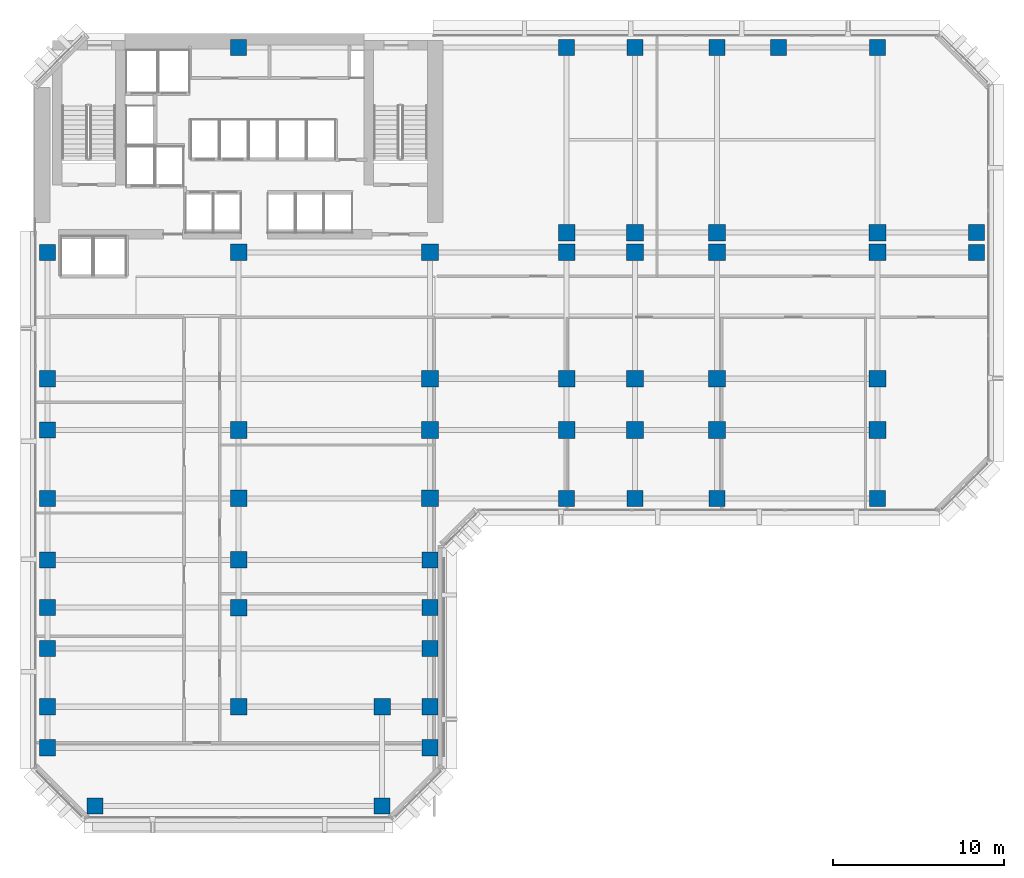
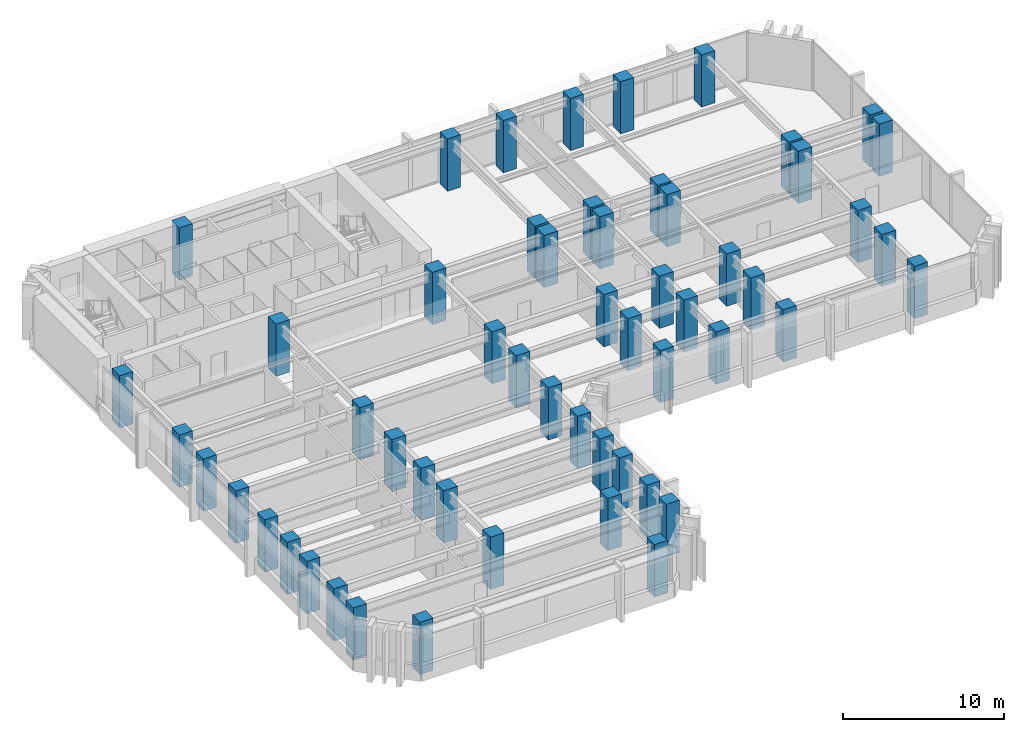
# One storey, part 1 of 13: 55 columns.
"""IFC4 building model written with IfcOpenShell, lengths in metres."""

from ifc_helpers import new_model, si_unit, direction, frame, origin, origin_2d, place, context, subcontext, project, spatial, rectangle, extrude, material, material_profile, profile_set, type_object, element, save


model = new_model("IFC4")

# Units and contexts
model_context = context("Model", 3, precision=1e-05, world=origin(), true_north=direction((0.0, 1.0)))
body_context = subcontext(model_context, "Body", "Model", "MODEL_VIEW")
ifc_project = project(units=[si_unit("LENGTHUNIT", "METRE"), si_unit("AREAUNIT", "SQUARE_METRE"), si_unit("VOLUMEUNIT", "CUBIC_METRE"), si_unit("PLANEANGLEUNIT", "RADIAN"), si_unit("MASSUNIT", "GRAM", prefix="KILO")], contexts=[model_context])

# Site, building, storey
site_placement = place(None, origin())
site = spatial("IfcSite", under=ifc_project, at=site_placement, CompositionType="ELEMENT")
building_placement = place(site_placement, origin())
building = spatial("IfcBuilding", under=site, at=building_placement, Name="Kefirva Bronze Tower", CompositionType="ELEMENT")
storey_placement = place(building_placement, frame((0.0, 0.0, 54.1201171875)))
storey = spatial("IfcBuildingStorey", under=building, at=storey_placement, Name="L12", CompositionType="ELEMENT", Elevation=54.1201171875)

# Columns
ifc_material = material(Name="Concrete C60/75", Category="concrete")
ifc_material_profile_1 = material_profile(ifc_material, rectangle(XDim=0.93994140625, YDim=0.93994140625, at=origin_2d()), Name="RC 940x940")
ifc_profile_set_1 = profile_set([ifc_material_profile_1], Name="Concrete C60/75")
column_type_1 = type_object("IfcColumnType", Name="RC Column 940x940 Ext", PredefinedType="COLUMN", material=ifc_profile_set_1)
for number, where, z_axis, x_axis, name in (
    (1, (0.800048828125, 4.199951171875, 0.0), (0.0, 0.0, 1.0), (1.0, 0.0, 0.0), "L12 Column C008_042"),
    (2, (0.800048828125, 6.60009765625, 0.0), (0.0, 0.0, 1.0), (1.0, 0.0, 0.0), "L12 Column C008_066"),
    (3, (0.800048828125, 10.0, 0.0), (0.0, 0.0, 1.0), (1.0, 0.0, 0.0), "L12 Column C008_100"),
    (4, (0.800048828125, 12.39990234375, 0.0), (0.0, 0.0, 1.0), (1.0, 0.0, 0.0), "L12 Column C008_124"),
    (5, (0.800048828125, 15.199951171875, 0.0), (0.0, 0.0, 1.0), (1.0, 0.0, 0.0), "L12 Column C008_152"),
    (6, (0.800048828125, 18.800048828125, 0.0), (0.0, 0.0, 1.0), (1.0, 0.0, 0.0), "L12 Column C008_188"),
    (7, (0.800048828125, 22.800048828125, 0.0), (0.0, 0.0, 1.0), (1.0, 0.0, 0.0), "L12 Column C008_228"),
    (8, (0.800048828125, 25.800048828125, 0.0), (0.0, 0.0, 1.0), (1.0, 0.0, 0.0), "L12 Column C008_258"),
    (9, (0.800048828125, 33.199951171875, 0.0), (0.0, 0.0, 1.0), (1.0, 0.0, 0.0), "L12 Column C008_332"),
    (10, (3.60009765625, 0.800048828125, 0.0), (0.0, 0.0, 1.0), (1.0, 0.0, 0.0), "L12 Column C036_008"),
    (11, (12.0, 45.199951171875, 0.0), (0.0, 0.0, 1.0), (1.0, 0.0, 0.0), "L12 Column C120_452"),
    (12, (20.39990234375, 0.800048828125, 0.0), (0.0, 0.0, 1.0), (1.0, 0.0, 0.0), "L12 Column C204_008"),
    (13, (23.199951171875, 4.199951171875, 0.0), (0.0, 0.0, 1.0), (1.0, 0.0, 0.0), "L12 Column C232_042"),
    (14, (23.199951171875, 6.60009765625, 0.0), (0.0, 0.0, 1.0), (1.0, 0.0, 0.0), "L12 Column C232_066"),
    (15, (23.199951171875, 10.0, 0.0), (0.0, 0.0, 1.0), (1.0, 0.0, 0.0), "L12 Column C232_100"),
    (16, (23.199951171875, 12.39990234375, 0.0), (0.0, 0.0, 1.0), (1.0, 0.0, 0.0), "L12 Column C232_124"),
    (17, (23.199951171875, 15.199951171875, 0.0), (0.0, 0.0, 1.0), (1.0, 0.0, 0.0), "L12 Column C232_152"),
    (18, (31.199951171875, 18.800048828125, 0.0), (0.0, 0.0, 1.0), (1.0, 0.0, 0.0), "L12 Column C312_188"),
    (19, (31.199951171875, 45.199951171875, 0.0), (0.0, 0.0, 1.0), (1.0, 0.0, 0.0), "L12 Column C312_452"),
    (20, (35.199951171875, 18.800048828125, 0.0), (0.0, 0.0, 1.0), (1.0, 0.0, 0.0), "L12 Column C352_188"),
    (21, (35.199951171875, 45.199951171875, 0.0), (0.0, 0.0, 1.0), (1.0, 0.0, 0.0), "L12 Column C352_452"),
    (22, (40.0, 18.800048828125, 0.0), (0.0, 0.0, 1.0), (1.0, 0.0, 0.0), "L12 Column C400_188"),
    (23, (40.0, 45.199951171875, 0.0), (0.0, 0.0, 1.0), (1.0, 0.0, 0.0), "L12 Column C400_452"),
    (24, (43.60009765625, 45.199951171875, 0.0), (0.0, 0.0, 1.0), (1.0, 0.0, 0.0), "L12 Column C436_452"),
    (25, (49.39990234375, 18.800048828125, 0.0), (0.0, 0.0, 1.0), (1.0, 0.0, 0.0), "L12 Column C494_188"),
    (26, (49.39990234375, 45.199951171875, 0.0), (0.0, 0.0, 1.0), (1.0, 0.0, 0.0), "L12 Column C494_452"),
    (27, (55.199951171875, 33.199951171875, 0.0), (0.0, 0.0, 1.0), (1.0, 0.0, 0.0), "L12 Column C552_332"),
    (28, (55.199951171875, 34.35009765625, 0.0), (0.0, 0.0, 1.0), (1.0, 0.0, 0.0), "L12 Column C552_344"),
):
    element("IfcColumn", number, at=place(storey_placement, frame(where, z_axis=z_axis, x_axis=x_axis)), inside=storey, type_object=column_type_1, Name=name, PredefinedType="COLUMN", context=body_context, shape_type="SweptSolid", body=[
        extrude(rectangle(XDim=0.93994140625, YDim=0.93994140625, at=origin_2d()), origin(), (0.0, 0.0, 1.0), 3.9599609375),
    ])
ifc_material_profile_2 = material_profile(ifc_material, rectangle(XDim=0.97998046875, YDim=0.97998046875, at=origin_2d()), Name="RC 980x980")
ifc_profile_set_2 = profile_set([ifc_material_profile_2], Name="Concrete C60/75")
column_type_2 = type_object("IfcColumnType", Name="RC Column 980x980 Int", PredefinedType="COLUMN", material=ifc_profile_set_2)
for number, where, z_axis, x_axis, name in (
    (29, (12.0, 6.60009765625, 0.0), (0.0, 0.0, 1.0), (1.0, 0.0, 0.0), "L12 Column C120_066"),
    (30, (12.0, 12.39990234375, 0.0), (0.0, 0.0, 1.0), (1.0, 0.0, 0.0), "L12 Column C120_124"),
    (31, (12.0, 15.199951171875, 0.0), (0.0, 0.0, 1.0), (1.0, 0.0, 0.0), "L12 Column C120_152"),
    (32, (12.0, 18.800048828125, 0.0), (0.0, 0.0, 1.0), (1.0, 0.0, 0.0), "L12 Column C120_188"),
    (33, (12.0, 22.800048828125, 0.0), (0.0, 0.0, 1.0), (1.0, 0.0, 0.0), "L12 Column C120_228"),
    (34, (12.0, 33.199951171875, 0.0), (0.0, 0.0, 1.0), (1.0, 0.0, 0.0), "L12 Column C120_332"),
    (35, (20.39990234375, 6.60009765625, 0.0), (0.0, 0.0, 1.0), (1.0, 0.0, 0.0), "L12 Column C204_066"),
    (36, (23.199951171875, 18.800048828125, 0.0), (0.0, 0.0, 1.0), (1.0, 0.0, 0.0), "L12 Column C232_188"),
    (37, (23.199951171875, 22.800048828125, 0.0), (0.0, 0.0, 1.0), (1.0, 0.0, 0.0), "L12 Column C232_228"),
    (38, (23.199951171875, 25.800048828125, 0.0), (0.0, 0.0, 1.0), (1.0, 0.0, 0.0), "L12 Column C232_258"),
    (39, (23.199951171875, 33.199951171875, 0.0), (0.0, 0.0, 1.0), (1.0, 0.0, 0.0), "L12 Column C232_332"),
    (40, (31.199951171875, 22.800048828125, 0.0), (0.0, 0.0, 1.0), (1.0, 0.0, 0.0), "L12 Column C312_228"),
    (41, (31.199951171875, 25.800048828125, 0.0), (0.0, 0.0, 1.0), (1.0, 0.0, 0.0), "L12 Column C312_258"),
    (42, (31.199951171875, 33.199951171875, 0.0), (0.0, 0.0, 1.0), (1.0, 0.0, 0.0), "L12 Column C312_332"),
    (43, (31.199951171875, 34.35009765625, 0.0), (0.0, 0.0, 1.0), (1.0, 0.0, 0.0), "L12 Column C312_344"),
    (44, (35.199951171875, 22.800048828125, 0.0), (0.0, 0.0, 1.0), (1.0, 0.0, 0.0), "L12 Column C352_228"),
    (45, (35.199951171875, 25.800048828125, 0.0), (0.0, 0.0, 1.0), (1.0, 0.0, 0.0), "L12 Column C352_258"),
    (46, (35.199951171875, 33.199951171875, 0.0), (0.0, 0.0, 1.0), (1.0, 0.0, 0.0), "L12 Column C352_332"),
    (47, (35.199951171875, 34.35009765625, 0.0), (0.0, 0.0, 1.0), (1.0, 0.0, 0.0), "L12 Column C352_344"),
    (48, (40.0, 22.800048828125, 0.0), (0.0, 0.0, 1.0), (1.0, 0.0, 0.0), "L12 Column C400_228"),
    (49, (40.0, 25.800048828125, 0.0), (0.0, 0.0, 1.0), (1.0, 0.0, 0.0), "L12 Column C400_258"),
    (50, (40.0, 33.199951171875, 0.0), (0.0, 0.0, 1.0), (1.0, 0.0, 0.0), "L12 Column C400_332"),
    (51, (40.0, 34.35009765625, 0.0), (0.0, 0.0, 1.0), (1.0, 0.0, 0.0), "L12 Column C400_344"),
    (52, (49.39990234375, 22.800048828125, 0.0), (0.0, 0.0, 1.0), (1.0, 0.0, 0.0), "L12 Column C494_228"),
    (53, (49.39990234375, 25.800048828125, 0.0), (0.0, 0.0, 1.0), (1.0, 0.0, 0.0), "L12 Column C494_258"),
    (54, (49.39990234375, 33.199951171875, 0.0), (0.0, 0.0, 1.0), (1.0, 0.0, 0.0), "L12 Column C494_332"),
    (55, (49.39990234375, 34.35009765625, 0.0), (0.0, 0.0, 1.0), (1.0, 0.0, 0.0), "L12 Column C494_344"),
):
    element("IfcColumn", number, at=place(storey_placement, frame(where, z_axis=z_axis, x_axis=x_axis)), inside=storey, type_object=column_type_2, Name=name, PredefinedType="COLUMN", context=body_context, shape_type="SweptSolid", body=[
        extrude(rectangle(XDim=0.97998046875, YDim=0.97998046875, at=origin_2d()), origin(), (0.0, 0.0, 1.0), 3.9599609375),
    ])

save(model, "model.ifc")
